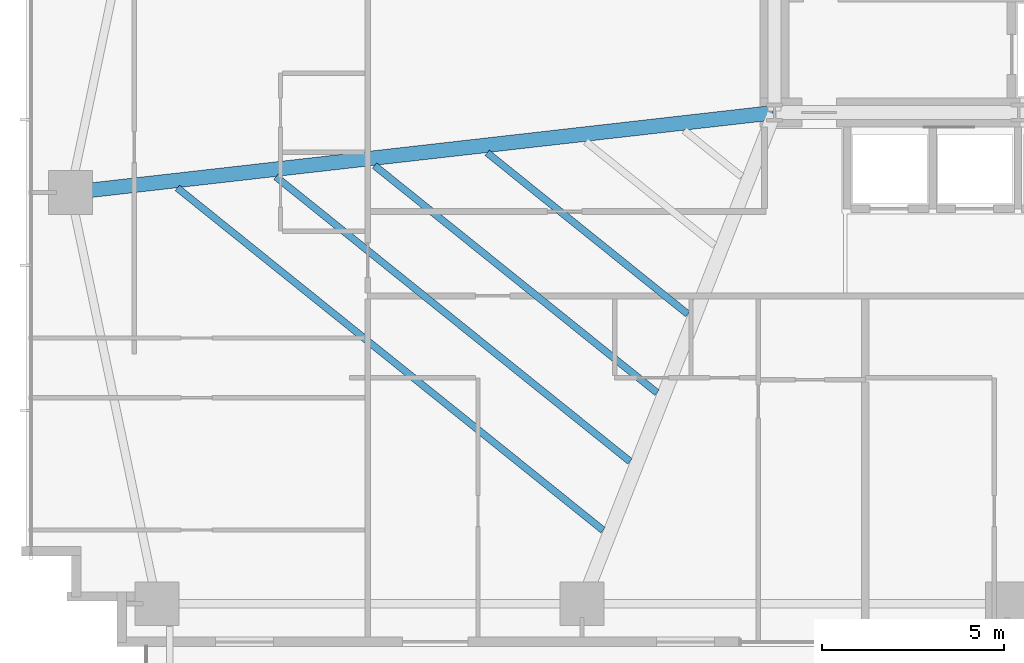
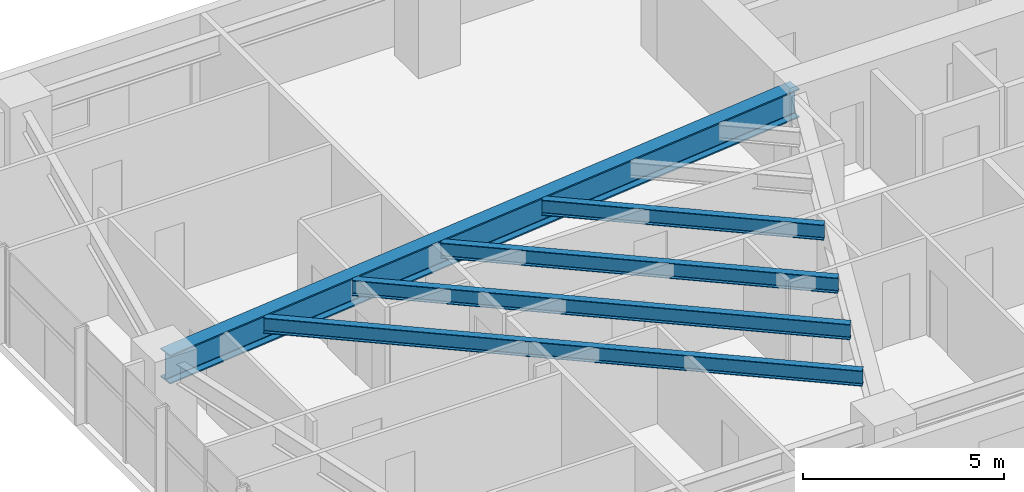
# One storey, part 5 of 25: 5 beams.
"""IFC4 building model written with IfcOpenShell, lengths in metres."""

from ifc_helpers import new_model, si_unit, direction, frame, origin, origin_2d, place, context, subcontext, project, spatial, i_section, extrude, source, transform, mapped, material, material_profile, profile_set, type_object, type_shapes, element, save


model = new_model("IFC4")

# Units and contexts
model_context = context("Model", 3, precision=1e-05, world=origin(), true_north=direction((0.0, 1.0)))
body_context = subcontext(model_context, "Body", "Model", "MODEL_VIEW")
ifc_project = project(units=[si_unit("LENGTHUNIT", "METRE"), si_unit("AREAUNIT", "SQUARE_METRE"), si_unit("VOLUMEUNIT", "CUBIC_METRE"), si_unit("PLANEANGLEUNIT", "RADIAN"), si_unit("MASSUNIT", "GRAM", prefix="KILO")], contexts=[model_context])

# Site, building, storey
site_placement = place(None, origin())
site = spatial("IfcSite", under=ifc_project, at=site_placement, CompositionType="ELEMENT")
building_placement = place(site_placement, origin())
building = spatial("IfcBuilding", under=site, at=building_placement, Name="Astriad Promenade Condominiums", CompositionType="ELEMENT")
storey_placement = place(building_placement, frame((0.0, 0.0, 29.39990234375)))
storey = spatial("IfcBuildingStorey", under=building, at=storey_placement, Name="L07", CompositionType="ELEMENT", Elevation=29.39990234375)

# Beams
ifc_material = material(Name="Steel ASTM A992 Grade 50", Category="steel")
ifc_material_profile_1 = material_profile(ifc_material, i_section(OverallWidth=0.4013671875, OverallDepth=0.877197265625, WebThickness=0.022216796875, FlangeThickness=0.039794921875, FilletRadius=0.02294921875, at=origin_2d()), Name="W33X263")
ifc_profile_set_1 = profile_set([ifc_material_profile_1], Name="Steel ASTM A992 Grade 50")
beam_type_1 = type_object("IfcBeamType", Name="STEEL PRIMARY GIRDER W33X263", PredefinedType="BEAM", material=ifc_profile_set_1)
shared_shape_1 = source(origin(), body_context, "Body", "SweptSolid", [
    extrude(i_section(OverallWidth=0.4013671875, OverallDepth=0.877197265625, WebThickness=0.022216796875, FlangeThickness=0.039794921875, FilletRadius=0.02294921875, at=origin_2d()), origin(), (0.0, 0.0, 1.0), 19.424560546875),
])
type_shapes(beam_type_1, [shared_shape_1])
beam_1_placement = place(storey_placement, frame((7.059814453125, 15.20458984375, 2.501708984375), z_axis=(0.993618675315, 0.11279152479, 0.0), x_axis=(-0.11279152479, 0.993618675315, 0.0)))
element("IfcBeam", 1, at=beam_1_placement, inside=storey, type_object=beam_type_1, Name="Primary Floor Girder PG-WM-L07", PredefinedType="BEAM", context=body_context, shape_type="MappedRepresentation", body=[
    mapped(shared_shape_1, transform((0.0, 0.0, 0.0), scale=1.0)),
])
ifc_material_profile_2 = material_profile(ifc_material, i_section(OverallWidth=0.19287109375, OverallDepth=0.466064453125, WebThickness=0.011474609375, FlangeThickness=0.01904296875, FilletRadius=0.01513671875, at=origin_2d()), Name="W18X65")
ifc_profile_set_2 = profile_set([ifc_material_profile_2], Name="Steel ASTM A992 Grade 50")
beam_type_2 = type_object("IfcBeamType", Name="STEEL FLOOR JOIST W18X65", PredefinedType="JOIST", material=ifc_profile_set_2)
shared_shape_2 = source(origin(), body_context, "Body", "SweptSolid", [
    extrude(i_section(OverallWidth=0.19287109375, OverallDepth=0.466064453125, WebThickness=0.011474609375, FlangeThickness=0.01904296875, FilletRadius=0.01513671875, at=origin_2d()), origin(), (0.0, 0.0, 1.0), 15.033447265625),
])
beam_2_placement = place(storey_placement, frame((9.961181640625, 15.32470703125, 2.70703125), z_axis=(0.779353434302, -0.626584570862, 0.0), x_axis=(0.626584570862, 0.779353434302, 0.0)))
element("IfcBeam", 2, at=beam_2_placement, inside=storey, type_object=beam_type_2, Name="Secondary Composite Floor Joist JW1-1-L07", PredefinedType="JOIST", context=body_context, shape_type="MappedRepresentation", body=[
    mapped(shared_shape_2, transform((0.0, 0.0, 0.0), scale=1.0)),
])
shared_shape_3 = source(origin(), body_context, "Body", "SweptSolid", [
    extrude(i_section(OverallWidth=0.19287109375, OverallDepth=0.466064453125, WebThickness=0.011474609375, FlangeThickness=0.01904296875, FilletRadius=0.01513671875, at=origin_2d()), origin(), (0.0, 0.0, 1.0), 12.50439453125),
])
beam_3_placement = place(storey_placement, frame((12.67431640625, 15.6328125, 2.70703125), z_axis=(0.77935791062, -0.626579003122, 0.0), x_axis=(0.626579003122, 0.77935791062, 0.0)))
element("IfcBeam", 3, at=beam_3_placement, inside=storey, type_object=beam_type_2, Name="Secondary Composite Floor Joist JW1-2-L07", PredefinedType="JOIST", context=body_context, shape_type="MappedRepresentation", body=[
    mapped(shared_shape_3, transform((0.0, 0.0, 0.0), scale=1.0)),
])
shared_shape_4 = source(origin(), body_context, "Body", "SweptSolid", [
    extrude(i_section(OverallWidth=0.19287109375, OverallDepth=0.466064453125, WebThickness=0.011474609375, FlangeThickness=0.01904296875, FilletRadius=0.01513671875, at=origin_2d()), origin(), (0.0, 0.0, 1.0), 9.97509765625),
])
beam_4_placement = place(storey_placement, frame((15.387451171875, 15.94091796875, 2.70703125), z_axis=(0.779355047887, -0.626582563859, 0.0), x_axis=(0.626582563859, 0.779355047887, 0.0)))
element("IfcBeam", 4, at=beam_4_placement, inside=storey, type_object=beam_type_2, Name="Secondary Composite Floor Joist JW1-3-L07", PredefinedType="JOIST", context=body_context, shape_type="MappedRepresentation", body=[
    mapped(shared_shape_4, transform((0.0, 0.0, 0.0), scale=1.0)),
])
shared_shape_5 = source(origin(), body_context, "Body", "SweptSolid", [
    extrude(i_section(OverallWidth=0.19287109375, OverallDepth=0.466064453125, WebThickness=0.011474609375, FlangeThickness=0.01904296875, FilletRadius=0.01513671875, at=origin_2d()), origin(), (0.0, 0.0, 1.0), 7.08447265625),
])
type_shapes(beam_type_2, [shared_shape_2, shared_shape_3, shared_shape_4, shared_shape_5])
beam_5_placement = place(storey_placement, frame((18.48828125, 16.292724609375, 2.70703125), z_axis=(0.779353562297, -0.62658441166, 0.0), x_axis=(0.62658441166, 0.779353562297, 0.0)))
element("IfcBeam", 5, at=beam_5_placement, inside=storey, type_object=beam_type_2, Name="Secondary Composite Floor Joist JW1-4-L07", PredefinedType="JOIST", context=body_context, shape_type="MappedRepresentation", body=[
    mapped(shared_shape_5, transform((0.0, 0.0, 0.0), scale=1.0)),
])

save(model, "model.ifc")
